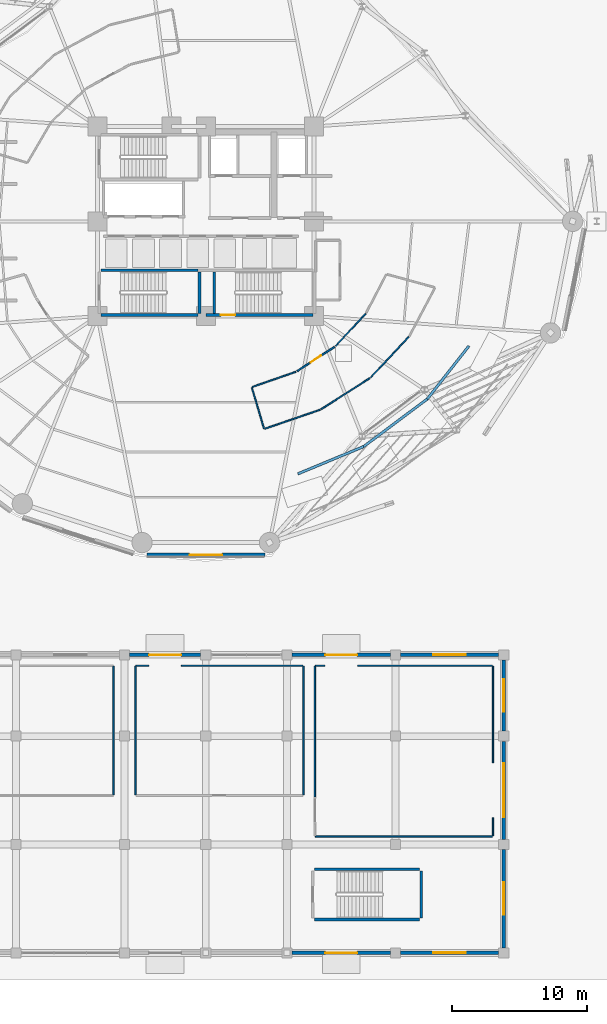
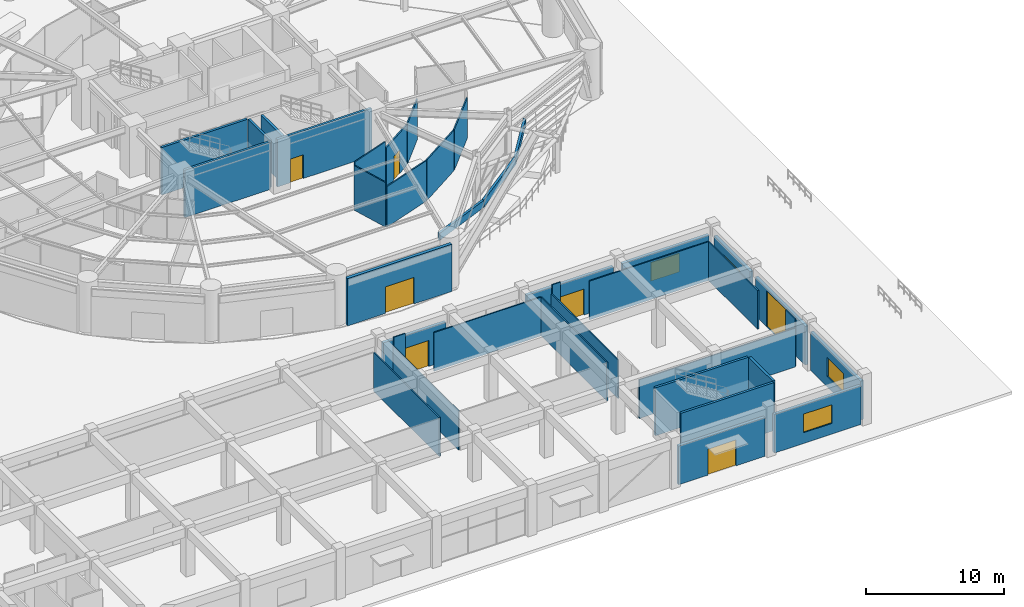
# One storey, part 29 of 40: 38 walls, 7 doors, 4 windows, 11 openings.
"""IFC4 building model written with IfcOpenShell, lengths in metres."""

from ifc_helpers import new_model, si_unit, direction, frame, frame_2d, origin, place, context, subcontext, project, spatial, rectangle, extrude, material, layer, layer_set, type_object, element, fill, save


model = new_model("IFC4")

# Units and contexts
model_context = context("Model", 3, precision=1e-05, world=origin(), true_north=direction((0.0, 1.0)))
body_context = subcontext(model_context, "Body", "Model", "MODEL_VIEW")
ifc_project = project(units=[si_unit("LENGTHUNIT", "METRE"), si_unit("AREAUNIT", "SQUARE_METRE"), si_unit("VOLUMEUNIT", "CUBIC_METRE"), si_unit("PLANEANGLEUNIT", "RADIAN"), si_unit("MASSUNIT", "GRAM", prefix="KILO")], contexts=[model_context])

# Site, building, storey
site_placement = place(None, origin())
site = spatial("IfcSite", under=ifc_project, at=site_placement, CompositionType="ELEMENT")
building_placement = place(site_placement, origin())
building = spatial("IfcBuilding", under=site, at=building_placement, Name="Kelanora Arch Commons", CompositionType="ELEMENT")
storey_placement = place(building_placement, origin())
storey = spatial("IfcBuildingStorey", under=building, at=storey_placement, Name="L00", CompositionType="ELEMENT", Elevation=0.0)

# Wall, opening, door
ifc_material_1 = material(Name="Precast concrete C40/50 with terracotta ceramic cladding", Category="masonry")
ifc_layer_1 = layer(ifc_material_1, 0.25)
ifc_layer_set_1 = layer_set([ifc_layer_1], Name="Precast concrete C40/50 with terracotta ceramic cladding")
wall_type_1 = type_object("IfcWallType", Name="W-EXT-MKT", PredefinedType="SOLIDWALL", material=ifc_layer_set_1)
wall_1_placement = place(storey_placement, frame((80.3798828125, 4.0, 0.0), z_axis=(0.0, 0.0, 1.0), x_axis=(1.0, 0.0, 0.0)))
wall_1 = element("IfcWall", 1, at=wall_1_placement, inside=storey, type_object=wall_type_1, Name="Market Hall Exterior Wall L00-10", PredefinedType="SOLIDWALL", context=body_context, shape_type="SweptSolid", body=[
    extrude(rectangle(XDim=7.240234375, YDim=0.25, at=frame_2d((3.6201171875, 0.0))), origin(), (0.0, 0.0, 1.0), 3.419921875),
])
opening_1_placement = place(wall_1_placement, frame((2.445068359375, 0.0, 0.0)))
opening_1 = element("IfcOpeningElement", 2, at=opening_1_placement, cuts=wall_1, Name="Opening DX-02", PredefinedType="OPENING", context=body_context, shape_type="SweptSolid", body=[
    extrude(rectangle(XDim=2.35009765625, YDim=2.300048828125, at=frame_2d((1.175048828125, 1.14990234375))), frame((0.0, 0.135009765625, 0.0), z_axis=(0.0, -1.0, 0.0), x_axis=(1.0, 0.0, 0.0)), (0.0, 0.0, 1.0), 0.27001953125),
])
ifc_material_2 = material(Name="Powder-coated aluminium glazed double escape door", Category="aluminium")
door_type_1 = type_object("IfcDoorType", Name="D-EXIT-20", OperationType="NOTDEFINED", PredefinedType="DOOR", material=ifc_material_2)
door_1_placement = place(opening_1_placement, frame((2.35009765625, 0.0, 0.0), z_axis=(0.0, 0.0, 1.0), x_axis=(-1.0, 0.0, 0.0)))
door_1 = element("IfcDoor", 3, at=door_1_placement, inside=storey, type_object=door_type_1, Name="Market Hall Pedestrian Exit Door 10", OperationType="DOUBLE_DOOR_SINGLE_SWING", OverallHeight=2.300048828125, OverallWidth=2.35009765625, PredefinedType="DOOR", context=body_context, shape_type="SweptSolid", body=[
    extrude(rectangle(XDim=2.35009765625, YDim=2.300048828125, at=frame_2d((1.175048828125, 1.14990234375))), frame((0.0, 0.02490234375, 0.0), z_axis=(0.0, -1.0, 0.0), x_axis=(1.0, 0.0, 0.0)), (0.0, 0.0, 1.0), 0.050048828125),
])
fill(opening_1, door_1)

# Wall, opening, window
wall_2_placement = place(storey_placement, frame((88.3798828125, 4.0, 0.0), z_axis=(0.0, 0.0, 1.0), x_axis=(1.0, 0.0, 0.0)))
wall_2 = element("IfcWall", 4, at=wall_2_placement, inside=storey, type_object=wall_type_1, Name="Market Hall Exterior Wall L00-11", PredefinedType="SOLIDWALL", context=body_context, shape_type="SweptSolid", body=[
    extrude(rectangle(XDim=7.240234375, YDim=0.25, at=frame_2d((3.6201171875, 0.0))), origin(), (0.0, 0.0, 1.0), 3.419921875),
])
opening_2_placement = place(wall_2_placement, frame((2.419921875, 0.0, 0.949951171875)))
opening_2 = element("IfcOpeningElement", 5, at=opening_2_placement, cuts=wall_2, Name="Opening WN-03", PredefinedType="OPENING", context=body_context, shape_type="SweptSolid", body=[
    extrude(rectangle(XDim=2.39990234375, YDim=1.64990234375, at=frame_2d((1.199951171875, 0.824951171875))), frame((0.0, 0.135009765625, 0.0), z_axis=(0.0, -1.0, 0.0), x_axis=(1.0, 0.0, 0.0)), (0.0, 0.0, 1.0), 0.27001953125),
])
ifc_material_3 = material(Name="Bronze-terracotta aluminium monsoon clerestory window", Category="masonry")
window_type = type_object("IfcWindowType", Name="WIN-MKT-24", PartitioningType="TRIPLE_PANEL_VERTICAL", PredefinedType="WINDOW", material=ifc_material_3)
window_1_placement = place(opening_2_placement, origin())
window_1 = element("IfcWindow", 6, at=window_1_placement, inside=storey, type_object=window_type, Name="Market Hall Clerestory Window L00-11", OverallHeight=1.64990234375, OverallWidth=2.39990234375, PartitioningType="SINGLE_PANEL", PredefinedType="WINDOW", context=body_context, shape_type="SweptSolid", body=[
    extrude(rectangle(XDim=2.39990234375, YDim=1.64990234375, at=frame_2d((1.199951171875, 0.824951171875))), frame((0.0, 0.030029296875, 0.0), z_axis=(0.0, -1.0, 0.0), x_axis=(1.0, 0.0, 0.0)), (0.0, 0.0, 1.0), 0.06005859375),
])
fill(opening_2, window_1)

wall_3_placement = place(storey_placement, frame((96.0, 4.3798828125, 0.0), z_axis=(0.0, 0.0, 1.0), x_axis=(0.0, 1.0, 0.0)))
wall_3 = element("IfcWall", 7, at=wall_3_placement, inside=storey, type_object=wall_type_1, Name="Market Hall Exterior Wall L00-12", PredefinedType="SOLIDWALL", context=body_context, shape_type="SweptSolid", body=[
    extrude(rectangle(XDim=7.240234375, YDim=0.25, at=frame_2d((3.6201171875, 0.0))), origin(), (0.0, 0.0, 1.0), 3.419921875),
])
opening_3_placement = place(wall_3_placement, frame((2.419921875, 0.0, 0.949951171875)))
opening_3 = element("IfcOpeningElement", 8, at=opening_3_placement, cuts=wall_3, Name="Opening WN-03", PredefinedType="OPENING", context=body_context, shape_type="SweptSolid", body=[
    extrude(rectangle(XDim=2.39990234375, YDim=1.64990234375, at=frame_2d((1.199951171875, 0.824951171875))), frame((0.0, 0.135009765625, 0.0), z_axis=(0.0, -1.0, 0.0), x_axis=(1.0, 0.0, 0.0)), (0.0, 0.0, 1.0), 0.27001953125),
])
window_2_placement = place(opening_3_placement, origin())
window_2 = element("IfcWindow", 9, at=window_2_placement, inside=storey, type_object=window_type, Name="Market Hall Clerestory Window L00-12", OverallHeight=1.64990234375, OverallWidth=2.39990234375, PartitioningType="SINGLE_PANEL", PredefinedType="WINDOW", context=body_context, shape_type="SweptSolid", body=[
    extrude(rectangle(XDim=2.39990234375, YDim=1.64990234375, at=frame_2d((1.199951171875, 0.824951171875))), frame((0.0, 0.030029296875, 0.0), z_axis=(0.0, -1.0, 0.0), x_axis=(1.0, 0.0, 0.0)), (0.0, 0.0, 1.0), 0.06005859375),
])
fill(opening_3, window_2)

# Wall, opening, door
wall_4_placement = place(storey_placement, frame((96.0, 12.3798828125, 0.0), z_axis=(0.0, 0.0, 1.0), x_axis=(0.0, 1.0, 0.0)))
wall_4 = element("IfcWall", 10, at=wall_4_placement, inside=storey, type_object=wall_type_1, Name="Market Hall Exterior Wall L00-13", PredefinedType="SOLIDWALL", context=body_context, shape_type="SweptSolid", body=[
    extrude(rectangle(XDim=7.240234375, YDim=0.25, at=frame_2d((3.6201171875, 0.0))), origin(), (0.0, 0.0, 1.0), 3.419921875),
])
opening_4_placement = place(wall_4_placement, frame((1.6201171875, 0.0, 0.0)))
opening_4 = element("IfcOpeningElement", 11, at=opening_4_placement, cuts=wall_4, Name="Opening DS-01", PredefinedType="OPENING", context=body_context, shape_type="SweptSolid", body=[
    extrude(rectangle(XDim=4.0, YDim=3.199951171875, at=frame_2d((2.0, 1.60009765625))), frame((0.0, 0.135009765625, 0.0), z_axis=(0.0, -1.0, 0.0), x_axis=(1.0, 0.0, 0.0)), (0.0, 0.0, 1.0), 0.27001953125),
])
ifc_material_4 = material(Name="Galvanised steel motorized HGV loading bay roller shutter", Category="steel")
door_type_2 = type_object("IfcDoorType", Name="D-SHUTTER-40", OperationType="NOTDEFINED", PredefinedType="GATE", material=ifc_material_4)
door_2_placement = place(opening_4_placement, frame((4.0, 0.0, 0.0), z_axis=(0.0, 0.0, 1.0), x_axis=(-1.0, 0.0, 0.0)))
door_2 = element("IfcDoor", 12, at=door_2_placement, inside=storey, type_object=door_type_2, Name="Market Hall HGV Loading Bay Roller Shutter", OperationType="ROLLINGUP", OverallHeight=3.199951171875, OverallWidth=4.0, PredefinedType="GATE", context=body_context, shape_type="SweptSolid", body=[
    extrude(rectangle(XDim=4.0, YDim=3.199951171875, at=frame_2d((2.0, 1.60009765625))), frame((0.0, 0.02490234375, 0.0), z_axis=(0.0, -1.0, 0.0), x_axis=(1.0, 0.0, 0.0)), (0.0, 0.0, 1.0), 0.050048828125),
])
fill(opening_4, door_2)

# Wall, opening, window
wall_5_placement = place(storey_placement, frame((96.0, 20.3798828125, 0.0), z_axis=(0.0, 0.0, 1.0), x_axis=(0.0, 1.0, 0.0)))
wall_5 = element("IfcWall", 13, at=wall_5_placement, inside=storey, type_object=wall_type_1, Name="Market Hall Exterior Wall L00-14", PredefinedType="SOLIDWALL", context=body_context, shape_type="SweptSolid", body=[
    extrude(rectangle(XDim=5.240234375, YDim=0.25, at=frame_2d((2.6201171875, 0.0))), origin(), (0.0, 0.0, 1.0), 3.419921875),
])
opening_5_placement = place(wall_5_placement, frame((1.419921875, 0.0, 0.949951171875)))
opening_5 = element("IfcOpeningElement", 14, at=opening_5_placement, cuts=wall_5, Name="Opening WN-03", PredefinedType="OPENING", context=body_context, shape_type="SweptSolid", body=[
    extrude(rectangle(XDim=2.39990234375, YDim=1.64990234375, at=frame_2d((1.199951171875, 0.824951171875))), frame((0.0, 0.135009765625, 0.0), z_axis=(0.0, -1.0, 0.0), x_axis=(1.0, 0.0, 0.0)), (0.0, 0.0, 1.0), 0.27001953125),
])
window_3_placement = place(opening_5_placement, origin())
window_3 = element("IfcWindow", 15, at=window_3_placement, inside=storey, type_object=window_type, Name="Market Hall Clerestory Window L00-14", OverallHeight=1.64990234375, OverallWidth=2.39990234375, PartitioningType="SINGLE_PANEL", PredefinedType="WINDOW", context=body_context, shape_type="SweptSolid", body=[
    extrude(rectangle(XDim=2.39990234375, YDim=1.64990234375, at=frame_2d((1.199951171875, 0.824951171875))), frame((0.0, 0.030029296875, 0.0), z_axis=(0.0, -1.0, 0.0), x_axis=(1.0, 0.0, 0.0)), (0.0, 0.0, 1.0), 0.06005859375),
])
fill(opening_5, window_3)

wall_6_placement = place(storey_placement, frame((95.6201171875, 26.0, 0.0), z_axis=(0.0, 0.0, 1.0), x_axis=(-1.0, 0.0, 0.0)))
wall_6 = element("IfcWall", 16, at=wall_6_placement, inside=storey, type_object=wall_type_1, Name="Market Hall Exterior Wall L00-15", PredefinedType="SOLIDWALL", context=body_context, shape_type="SweptSolid", body=[
    extrude(rectangle(XDim=7.240234375, YDim=0.25, at=frame_2d((3.6201171875, 0.0))), origin(), (0.0, 0.0, 1.0), 3.419921875),
])
opening_6_placement = place(wall_6_placement, frame((2.419921875, 0.0, 0.949951171875)))
opening_6 = element("IfcOpeningElement", 17, at=opening_6_placement, cuts=wall_6, Name="Opening WN-03", PredefinedType="OPENING", context=body_context, shape_type="SweptSolid", body=[
    extrude(rectangle(XDim=2.39990234375, YDim=1.64990234375, at=frame_2d((1.199951171875, 0.824951171875))), frame((0.0, 0.135009765625, 0.0), z_axis=(0.0, -1.0, 0.0), x_axis=(1.0, 0.0, 0.0)), (0.0, 0.0, 1.0), 0.27001953125),
])
window_4_placement = place(opening_6_placement, origin())
window_4 = element("IfcWindow", 18, at=window_4_placement, inside=storey, type_object=window_type, Name="Market Hall Clerestory Window L00-15", OverallHeight=1.64990234375, OverallWidth=2.39990234375, PartitioningType="SINGLE_PANEL", PredefinedType="WINDOW", context=body_context, shape_type="SweptSolid", body=[
    extrude(rectangle(XDim=2.39990234375, YDim=1.64990234375, at=frame_2d((1.199951171875, 0.824951171875))), frame((0.0, 0.030029296875, 0.0), z_axis=(0.0, -1.0, 0.0), x_axis=(1.0, 0.0, 0.0)), (0.0, 0.0, 1.0), 0.06005859375),
])
fill(opening_6, window_4)

# Wall, opening, door
wall_7_placement = place(storey_placement, frame((87.6201171875, 26.0, 0.0), z_axis=(0.0, 0.0, 1.0), x_axis=(-1.0, 0.0, 0.0)))
wall_7 = element("IfcWall", 19, at=wall_7_placement, inside=storey, type_object=wall_type_1, Name="Market Hall Exterior Wall L00-16", PredefinedType="SOLIDWALL", context=body_context, shape_type="SweptSolid", body=[
    extrude(rectangle(XDim=7.240234375, YDim=0.25, at=frame_2d((3.6201171875, 0.0))), origin(), (0.0, 0.0, 1.0), 3.419921875),
])
opening_7_placement = place(wall_7_placement, frame((2.445068359375, 0.0, 0.0)))
opening_7 = element("IfcOpeningElement", 20, at=opening_7_placement, cuts=wall_7, Name="Opening DX-02", PredefinedType="OPENING", context=body_context, shape_type="SweptSolid", body=[
    extrude(rectangle(XDim=2.35009765625, YDim=2.300048828125, at=frame_2d((1.175048828125, 1.14990234375))), frame((0.0, 0.135009765625, 0.0), z_axis=(0.0, -1.0, 0.0), x_axis=(1.0, 0.0, 0.0)), (0.0, 0.0, 1.0), 0.27001953125),
])
door_3_placement = place(opening_7_placement, frame((2.35009765625, 0.0, 0.0), z_axis=(0.0, 0.0, 1.0), x_axis=(-1.0, 0.0, 0.0)))
door_3 = element("IfcDoor", 21, at=door_3_placement, inside=storey, type_object=door_type_1, Name="Market Hall Pedestrian Exit Door 16", OperationType="DOUBLE_DOOR_SINGLE_SWING", OverallHeight=2.300048828125, OverallWidth=2.35009765625, PredefinedType="DOOR", context=body_context, shape_type="SweptSolid", body=[
    extrude(rectangle(XDim=2.35009765625, YDim=2.300048828125, at=frame_2d((1.175048828125, 1.14990234375))), frame((0.0, 0.02490234375, 0.0), z_axis=(0.0, -1.0, 0.0), x_axis=(1.0, 0.0, 0.0)), (0.0, 0.0, 1.0), 0.050048828125),
])
fill(opening_7, door_3)

wall_8_placement = place(storey_placement, frame((73.6201171875, 26.0, 0.0), z_axis=(0.0, 0.0, 1.0), x_axis=(-1.0, 0.0, 0.0)))
wall_8 = element("IfcWall", 22, at=wall_8_placement, inside=storey, type_object=wall_type_1, Name="Market Hall Exterior Wall L00-18", PredefinedType="SOLIDWALL", context=body_context, shape_type="SweptSolid", body=[
    extrude(rectangle(XDim=5.240234375, YDim=0.25, at=frame_2d((2.6201171875, 0.0))), origin(), (0.0, 0.0, 1.0), 3.419921875),
])
opening_8_placement = place(wall_8_placement, frame((1.445068359375, 0.0, 0.0)))
opening_8 = element("IfcOpeningElement", 23, at=opening_8_placement, cuts=wall_8, Name="Opening DX-02", PredefinedType="OPENING", context=body_context, shape_type="SweptSolid", body=[
    extrude(rectangle(XDim=2.35009765625, YDim=2.300048828125, at=frame_2d((1.175048828125, 1.14990234375))), frame((0.0, 0.135009765625, 0.0), z_axis=(0.0, -1.0, 0.0), x_axis=(1.0, 0.0, 0.0)), (0.0, 0.0, 1.0), 0.27001953125),
])
door_4_placement = place(opening_8_placement, frame((2.35009765625, 0.0, 0.0), z_axis=(0.0, 0.0, 1.0), x_axis=(-1.0, 0.0, 0.0)))
door_4 = element("IfcDoor", 24, at=door_4_placement, inside=storey, type_object=door_type_1, Name="Market Hall Pedestrian Exit Door 18", OperationType="DOUBLE_DOOR_SINGLE_SWING", OverallHeight=2.300048828125, OverallWidth=2.35009765625, PredefinedType="DOOR", context=body_context, shape_type="SweptSolid", body=[
    extrude(rectangle(XDim=2.35009765625, YDim=2.300048828125, at=frame_2d((1.175048828125, 1.14990234375))), frame((0.0, 0.02490234375, 0.0), z_axis=(0.0, -1.0, 0.0), x_axis=(1.0, 0.0, 0.0)), (0.0, 0.0, 1.0), 0.050048828125),
])
fill(opening_8, door_4)

ifc_material_5 = material(Name="Precast concrete C40/50 with terracotta rainscreen", Category="masonry")
ifc_layer_2 = layer(ifc_material_5, 0.260009765625)
ifc_layer_set_2 = layer_set([ifc_layer_2], Name="Precast concrete C40/50 with terracotta rainscreen")
wall_type_2 = type_object("IfcWallType", Name="W-EXT-TC", PredefinedType="SOLIDWALL", material=ifc_layer_set_2)
wall_9_placement = place(storey_placement, frame((69.64404296875, 33.3798828125, 0.0), z_axis=(0.0, 0.0, 1.0), x_axis=(1.0, 0.0, 0.0)))
wall_9 = element("IfcWall", 25, at=wall_9_placement, inside=storey, type_object=wall_type_2, Name="Terracotta Exterior Wall L00-B13", PredefinedType="SOLIDWALL", context=body_context, shape_type="SweptSolid", body=[
    extrude(rectangle(XDim=8.7119140625, YDim=0.260009765625, at=frame_2d((4.35595703125, 0.0))), origin(), (0.0, 0.0, 1.0), 4.18505859375),
])
opening_9_placement = place(wall_9_placement, frame((3.156005859375, 0.0, 0.0)))
opening_9 = element("IfcOpeningElement", 26, at=opening_9_placement, cuts=wall_9, Name="Opening DX-01", PredefinedType="OPENING", context=body_context, shape_type="SweptSolid", body=[
    extrude(rectangle(XDim=2.39990234375, YDim=2.35009765625, at=frame_2d((1.199951171875, 1.175048828125))), frame((0.0, 0.14013671875, 0.0), z_axis=(0.0, -1.0, 0.0), x_axis=(1.0, 0.0, 0.0)), (0.0, 0.0, 1.0), 0.280029296875),
])
door_type_3 = type_object("IfcDoorType", Name="D-EXIT-22", OperationType="NOTDEFINED", PredefinedType="DOOR", material=ifc_material_2)
door_5_placement = place(opening_9_placement, frame((2.39990234375, 0.0, 0.0), z_axis=(0.0, 0.0, 1.0), x_axis=(-1.0, 0.0, 0.0)))
door_5 = element("IfcDoor", 27, at=door_5_placement, inside=storey, type_object=door_type_3, Name="Tower Ground Pedestrian Exit Door T13", OperationType="DOUBLE_DOOR_SINGLE_SWING", OverallHeight=2.35009765625, OverallWidth=2.39990234375, PredefinedType="DOOR", context=body_context, shape_type="SweptSolid", body=[
    extrude(rectangle(XDim=2.39990234375, YDim=2.35009765625, at=frame_2d((1.199951171875, 1.175048828125))), frame((0.0, 0.02490234375, 0.0), z_axis=(0.0, -1.0, 0.0), x_axis=(1.0, 0.0, 0.0)), (0.0, 0.0, 1.0), 0.050048828125),
])
fill(opening_9, door_5)

# Walls
ifc_material_6 = material(Name="Precast concrete C40/50 parapet", Category="concrete")
ifc_layer_3 = layer(ifc_material_6, 0.18994140625)
ifc_layer_set_3 = layer_set([ifc_layer_3], Name="Precast concrete C40/50 parapet")
wall_type_3 = type_object("IfcWallType", Name="W-PARAPET", PredefinedType="PARAPET", material=ifc_layer_set_3)
wall_10_placement = place(storey_placement, frame((80.79833984375, 39.359375, 0.0), z_axis=(0.0, 0.0, 1.0), x_axis=(0.923474464617, 0.383659892614, 0.0)))
element("IfcWall", 28, at=wall_10_placement, inside=storey, type_object=wall_type_3, Name="Courtyard Raised Planter Kerb SE-1", PredefinedType="PARAPET", context=body_context, shape_type="SweptSolid", body=[
    extrude(rectangle(XDim=5.2626953125, YDim=0.18994140625, at=frame_2d((2.63134765625, 0.0))), origin(), (0.0, 0.0, 1.0), 0.6201171875),
])
wall_11_placement = place(storey_placement, frame((85.658203125, 41.37841796875, 0.0), z_axis=(0.0, 0.0, 1.0), x_axis=(0.800949430728, 0.59873200133, 0.0)))
element("IfcWall", 29, at=wall_11_placement, inside=storey, type_object=wall_type_3, Name="Courtyard Raised Planter Kerb SE-2", PredefinedType="PARAPET", context=body_context, shape_type="SweptSolid", body=[
    extrude(rectangle(XDim=5.856689453125, YDim=0.18994140625, at=frame_2d((2.92822265625, 0.0))), origin(), (0.0, 0.0, 1.0), 0.6201171875),
])
wall_12_placement = place(storey_placement, frame((90.34912109375, 44.885009765625, 0.0), z_axis=(0.0, 0.0, 1.0), x_axis=(0.617936357215, 0.786228121115, 0.0)))
element("IfcWall", 30, at=wall_12_placement, inside=storey, type_object=wall_type_3, Name="Courtyard Raised Planter Kerb SE-3", PredefinedType="PARAPET", context=body_context, shape_type="SweptSolid", body=[
    extrude(rectangle(XDim=4.977294921875, YDim=0.18994140625, at=frame_2d((2.48876953125, 0.0))), origin(), (0.0, 0.0, 1.0), 0.6201171875),
])
ifc_material_7 = material(Name="Lightweight fire-rated acoustic stud partition")
ifc_layer_4 = layer(ifc_material_7, 0.10009765625)
ifc_layer_set_4 = layer_set([ifc_layer_4], Name="Lightweight fire-rated acoustic stud partition")
wall_type_4 = type_object("IfcWallType", Name="W-PART-100", PredefinedType="PARTITIONING", material=ifc_layer_set_4)
for number, where, z_axis, x_axis, name in (
    (31, (67.199951171875, 15.659912109375, 0.0), (0.0, 0.0, 1.0), (0.0, 1.0, 0.0), "Main Civic Produce and Spice Market Hall Enclosure Partition 2"),
    (32, (81.199951171875, 15.659912109375, 0.0), (0.0, 0.0, 1.0), (0.0, 1.0, 0.0), "Fresh Seafood and Dry Goods Market Stalls Enclosure Partition 2"),
):
    element("IfcWall", number, at=place(storey_placement, frame(where, z_axis=z_axis, x_axis=x_axis)), inside=storey, type_object=wall_type_4, Name=name, PredefinedType="PARTITIONING", context=body_context, shape_type="SweptSolid", body=[
        extrude(rectangle(XDim=9.5, YDim=0.10009765625, at=frame_2d((4.75, 0.0))), origin(), (0.0, 0.0, 1.0), 3.425048828125),
    ])
wall_13_placement = place(storey_placement, frame((81.159912109375, 25.199951171875, 0.0), z_axis=(0.0, 0.0, 1.0), x_axis=(-1.0, 0.0, 0.0)))
element("IfcWall", 33, at=wall_13_placement, inside=storey, type_object=wall_type_4, Name="Fresh Seafood and Dry Goods Market Stalls Enclosure Partition 3", PredefinedType="PARTITIONING", context=body_context, shape_type="SweptSolid", body=[
    extrude(rectangle(XDim=8.954833984375, YDim=0.10009765625, at=frame_2d((4.4775390625, 0.0))), origin(), (0.0, 0.0, 1.0), 3.425048828125),
])
wall_14_placement = place(storey_placement, frame((69.794921875, 25.199951171875, 0.0), z_axis=(0.0, 0.0, 1.0), x_axis=(-1.0, 0.0, 0.0)))
element("IfcWall", 34, at=wall_14_placement, inside=storey, type_object=wall_type_4, Name="Fresh Seafood and Dry Goods Market Stalls Enclosure Partition 3", PredefinedType="PARTITIONING", context=body_context, shape_type="SweptSolid", body=[
    extrude(rectangle(XDim=0.954833984375, YDim=0.10009765625, at=frame_2d((0.4775390625, 0.0))), origin(), (0.0, 0.0, 1.0), 4.18994140625),
])
wall_15_placement = place(storey_placement, frame((68.800048828125, 25.159912109375, 0.0), z_axis=(0.0, 0.0, 1.0), x_axis=(0.0, -1.0, 0.0)))
element("IfcWall", 35, at=wall_15_placement, inside=storey, type_object=wall_type_4, Name="Fresh Seafood and Dry Goods Market Stalls Enclosure Partition 4", PredefinedType="PARTITIONING", context=body_context, shape_type="SweptSolid", body=[
    extrude(rectangle(XDim=9.5, YDim=0.10009765625, at=frame_2d((4.75, 0.0))), origin(), (0.0, 0.0, 1.0), 3.425048828125),
])
wall_16_placement = place(storey_placement, frame((82.090087890625, 12.60009765625, 0.0), z_axis=(0.0, 0.0, 1.0), x_axis=(1.0, 0.0, 0.0)))
element("IfcWall", 36, at=wall_16_placement, inside=storey, type_object=wall_type_4, Name="Market Enclosed HGV Loading and Servicing Bay Enclosure Partition 1", PredefinedType="PARTITIONING", context=body_context, shape_type="SweptSolid", body=[
    extrude(rectangle(XDim=13.06982421875, YDim=0.10009765625, at=frame_2d((6.534912109375, 0.0))), origin(), (0.0, 0.0, 1.0), 3.425048828125),
])
wall_17_placement = place(storey_placement, frame((95.199951171875, 12.639892578125, 0.0), z_axis=(0.0, 0.0, 1.0), x_axis=(0.0, 1.0, 0.0)))
element("IfcWall", 37, at=wall_17_placement, inside=storey, type_object=wall_type_4, Name="Market Enclosed HGV Loading and Servicing Bay Enclosure Partition 2", PredefinedType="PARTITIONING", context=body_context, shape_type="SweptSolid", body=[
    extrude(rectangle(XDim=1.330078125, YDim=0.10009765625, at=frame_2d((0.6650390625, 0.0))), origin(), (0.0, 0.0, 1.0), 4.18994140625),
])
wall_18_placement = place(storey_placement, frame((95.199951171875, 18.030029296875, 0.0), z_axis=(0.0, 0.0, 1.0), x_axis=(0.0, 1.0, 0.0)))
element("IfcWall", 38, at=wall_18_placement, inside=storey, type_object=wall_type_4, Name="Market Enclosed HGV Loading and Servicing Bay Enclosure Partition 2", PredefinedType="PARTITIONING", context=body_context, shape_type="SweptSolid", body=[
    extrude(rectangle(XDim=7.1298828125, YDim=0.10009765625, at=frame_2d((3.56494140625, 0.0))), origin(), (0.0, 0.0, 1.0), 3.425048828125),
])
wall_19_placement = place(storey_placement, frame((95.159912109375, 25.199951171875, 0.0), z_axis=(0.0, 0.0, 1.0), x_axis=(-1.0, 0.0, 0.0)))
element("IfcWall", 39, at=wall_19_placement, inside=storey, type_object=wall_type_4, Name="Market Enclosed HGV Loading and Servicing Bay Enclosure Partition 3", PredefinedType="PARTITIONING", context=body_context, shape_type="SweptSolid", body=[
    extrude(rectangle(XDim=9.954833984375, YDim=0.10009765625, at=frame_2d((4.9775390625, 0.0))), origin(), (0.0, 0.0, 1.0), 3.425048828125),
])
wall_20_placement = place(storey_placement, frame((82.794921875, 25.199951171875, 0.0), z_axis=(0.0, 0.0, 1.0), x_axis=(-1.0, 0.0, 0.0)))
element("IfcWall", 40, at=wall_20_placement, inside=storey, type_object=wall_type_4, Name="Market Enclosed HGV Loading and Servicing Bay Enclosure Partition 3", PredefinedType="PARTITIONING", context=body_context, shape_type="SweptSolid", body=[
    extrude(rectangle(XDim=0.704833984375, YDim=0.10009765625, at=frame_2d((0.3525390625, 0.0))), origin(), (0.0, 0.0, 1.0), 4.18994140625),
])
wall_21_placement = place(storey_placement, frame((82.050048828125, 25.159912109375, 0.0), z_axis=(0.0, 0.0, 1.0), x_axis=(0.0, -1.0, 0.0)))
element("IfcWall", 41, at=wall_21_placement, inside=storey, type_object=wall_type_4, Name="Market Enclosed HGV Loading and Servicing Bay Enclosure Partition 4", PredefinedType="PARTITIONING", context=body_context, shape_type="SweptSolid", body=[
    extrude(rectangle(XDim=9.669921875, YDim=0.10009765625, at=frame_2d((4.8349609375, 0.0))), origin(), (0.0, 0.0, 1.0), 3.425048828125),
])
wall_22_placement = place(storey_placement, frame((77.4296875, 45.768310546875, 0.0), z_axis=(0.0, 0.0, 1.0), x_axis=(0.943895142086, 0.330245303898, 0.0)))
element("IfcWall", 42, at=wall_22_placement, inside=storey, type_object=wall_type_4, Name="Courtyard Communal Dining Pavilion South-East Enclosure Partition 1", PredefinedType="PARTITIONING", context=body_context, shape_type="SweptSolid", body=[
    extrude(rectangle(XDim=3.4140625, YDim=0.10009765625, at=frame_2d((1.70703125, 0.0))), origin(), (0.0, 0.0, 1.0), 4.18994140625),
])
wall_23_placement = place(storey_placement, frame((83.589111328125, 48.79931640625, 0.0), z_axis=(0.0, 0.0, 1.0), x_axis=(0.678488862619, 0.734610688257, 0.0)))
element("IfcWall", 43, at=wall_23_placement, inside=storey, type_object=wall_type_4, Name="Courtyard Communal Dining Pavilion South-East Enclosure Partition 3", PredefinedType="PARTITIONING", context=body_context, shape_type="SweptSolid", body=[
    extrude(rectangle(XDim=3.25390625, YDim=0.10009765625, at=frame_2d((1.626953125, 0.0))), origin(), (0.0, 0.0, 1.0), 3.5849609375),
])
wall_24_placement = place(storey_placement, frame((88.984619140625, 49.481689453125, 0.0), z_axis=(0.0, 0.0, 1.0), x_axis=(-0.683655334271, -0.729805031446, 0.0)))
element("IfcWall", 44, at=wall_24_placement, inside=storey, type_object=wall_type_4, Name="Courtyard Communal Dining Pavilion South-East Enclosure Partition 7", PredefinedType="PARTITIONING", context=body_context, shape_type="SweptSolid", body=[
    extrude(rectangle(XDim=4.12109375, YDim=0.10009765625, at=frame_2d((2.060546875, 0.0))), origin(), (0.0, 0.0, 1.0), 3.5849609375),
])
wall_25_placement = place(storey_placement, frame((86.106201171875, 46.423583984375, 0.0), z_axis=(0.0, 0.0, 1.0), x_axis=(-0.842680324252, -0.538414218905, 0.0)))
element("IfcWall", 45, at=wall_25_placement, inside=storey, type_object=wall_type_4, Name="Courtyard Communal Dining Pavilion South-East Enclosure Partition 8", PredefinedType="PARTITIONING", context=body_context, shape_type="SweptSolid", body=[
    extrude(rectangle(XDim=4.247802734375, YDim=0.10009765625, at=frame_2d((2.1240234375, 0.0))), origin(), (0.0, 0.0, 1.0), 3.5849609375),
])
wall_26_placement = place(storey_placement, frame((82.455078125, 44.101806640625, 0.0), z_axis=(0.0, 0.0, 1.0), x_axis=(-0.945232717828, -0.326397164737, 0.0)))
element("IfcWall", 46, at=wall_26_placement, inside=storey, type_object=wall_type_4, Name="Courtyard Communal Dining Pavilion South-East Enclosure Partition 9", PredefinedType="PARTITIONING", context=body_context, shape_type="SweptSolid", body=[
    extrude(rectangle(XDim=4.349609375, YDim=0.10009765625, at=frame_2d((2.1748046875, 0.0))), origin(), (0.0, 0.0, 1.0), 3.5849609375),
])
wall_27_placement = place(storey_placement, frame((78.294677734375, 42.70751953125, 0.0), z_axis=(0.0, 0.0, 1.0), x_axis=(-0.284027408145, 0.958816161432, 0.0)))
element("IfcWall", 47, at=wall_27_placement, inside=storey, type_object=wall_type_4, Name="Courtyard Communal Dining Pavilion South-East Enclosure Partition 10", PredefinedType="PARTITIONING", context=body_context, shape_type="SweptSolid", body=[
    extrude(rectangle(XDim=3.13818359375, YDim=0.10009765625, at=frame_2d((1.569091796875, 0.0))), origin(), (0.0, 0.0, 1.0), 3.945068359375),
])

# Wall, opening, door
ifc_material_8 = material(Name="Acoustic twin-stud fire-rated gypsum partition")
ifc_layer_5 = layer(ifc_material_8, 0.1201171875)
ifc_layer_set_5 = layer_set([ifc_layer_5], Name="Acoustic twin-stud fire-rated gypsum partition")
wall_type_5 = type_object("IfcWallType", Name="W-PART-120", PredefinedType="PARTITIONING", material=ifc_layer_set_5)
wall_28_placement = place(storey_placement, frame((80.740478515625, 46.941650390625, 0.0), z_axis=(0.0, 0.0, 1.0), x_axis=(0.839224842152, 0.543784575282, 0.0)))
wall_28 = element("IfcWall", 48, at=wall_28_placement, inside=storey, type_object=wall_type_5, Name="Courtyard Communal Dining Pavilion South-East Entry Partition", PredefinedType="PARTITIONING", context=body_context, shape_type="SweptSolid", body=[
    extrude(rectangle(XDim=3.30224609375, YDim=0.1201171875, at=frame_2d((1.651123046875, 0.0))), origin(), (0.0, 0.0, 1.0), 3.5849609375),
])
opening_10_placement = place(wall_28_placement, frame((1.200927734375, 0.0, 0.0)))
opening_10 = element("IfcOpeningElement", 49, at=opening_10_placement, cuts=wall_28, Name="Opening D-RM1", PredefinedType="OPENING", context=body_context, shape_type="SweptSolid", body=[
    extrude(rectangle(XDim=0.89990234375, YDim=2.080078125, at=frame_2d((0.449951171875, 1.0400390625))), frame((0.0, 0.070068359375, 0.0), z_axis=(0.0, -1.0, 0.0), x_axis=(1.0, 0.0, 0.0)), (0.0, 0.0, 1.0), 0.14013671875),
])
ifc_material_9 = material(Name="Acoustic fire-rated timber study and lounge door", Category="wood")
door_type_4 = type_object("IfcDoorType", Name="D-ROOM-90", OperationType="NOTDEFINED", PredefinedType="DOOR", material=ifc_material_9)
door_6_placement = place(opening_10_placement, origin())
door_6 = element("IfcDoor", 50, at=door_6_placement, inside=storey, type_object=door_type_4, Name="Courtyard Communal Dining Pavilion South-East Door", OperationType="SINGLE_SWING_RIGHT", OverallHeight=2.080078125, OverallWidth=0.89990234375, PredefinedType="DOOR", context=body_context, shape_type="SweptSolid", body=[
    extrude(rectangle(XDim=0.89990234375, YDim=2.080078125, at=frame_2d((0.449951171875, 1.0400390625))), frame((0.0, 0.02490234375, 0.0), z_axis=(0.0, -1.0, 0.0), x_axis=(1.0, 0.0, 0.0)), (0.0, 0.0, 1.0), 0.050048828125),
])
fill(opening_10, door_6)

ifc_material_10 = material(Name="Concrete C40/50", Category="concrete")
ifc_layer_6 = layer(ifc_material_10, 0.199951171875)
ifc_layer_set_6 = layer_set([ifc_layer_6], Name="Concrete C40/50")
wall_type_6 = type_object("IfcWallType", Name="W-STAIR-200", PredefinedType="SHEAR", material=ifc_layer_set_6)
wall_29_placement = place(storey_placement, frame((74.0, 51.080078125, 0.0), z_axis=(0.0, 0.0, 1.0), x_axis=(1.0, 0.0, 0.0)))
wall_29 = element("IfcWall", 51, at=wall_29_placement, inside=storey, type_object=wall_type_6, Name="Stair ST-T2 Shaft Wall S L00", PredefinedType="SHEAR", context=body_context, shape_type="SweptSolid", body=[
    extrude(rectangle(XDim=7.89990234375, YDim=0.199951171875, at=frame_2d((3.949951171875, 0.0))), origin(), (0.0, 0.0, 1.0), 4.199951171875),
])
opening_11_placement = place(wall_29_placement, frame((1.1201171875, 0.0, 0.0)))
opening_11 = element("IfcOpeningElement", 52, at=opening_11_placement, cuts=wall_29, Name="Opening D-ST1", PredefinedType="OPENING", context=body_context, shape_type="SweptSolid", body=[
    extrude(rectangle(XDim=1.050048828125, YDim=2.10009765625, at=frame_2d((0.52490234375, 1.050048828125))), frame((0.0, 0.10986328125, 0.0), z_axis=(0.0, -1.0, 0.0), x_axis=(1.0, 0.0, 0.0)), (0.0, 0.0, 1.0), 0.219970703125),
])
ifc_material_11 = material(Name="Steel fire-rated stairwell escape door", Category="steel")
door_type_5 = type_object("IfcDoorType", Name="D-STAIR-110", OperationType="NOTDEFINED", PredefinedType="DOOR", material=ifc_material_11)
door_7_placement = place(opening_11_placement, origin())
door_7 = element("IfcDoor", 53, at=door_7_placement, inside=storey, type_object=door_type_5, Name="Stair ST-T2 Escape Door L00", OperationType="SINGLE_SWING_LEFT", OverallHeight=2.10009765625, OverallWidth=1.050048828125, PredefinedType="DOOR", context=body_context, shape_type="SweptSolid", body=[
    extrude(rectangle(XDim=1.050048828125, YDim=2.10009765625, at=frame_2d((0.52490234375, 1.050048828125))), frame((0.0, 0.02490234375, 0.0), z_axis=(0.0, -1.0, 0.0), x_axis=(1.0, 0.0, 0.0)), (0.0, 0.0, 1.0), 0.050048828125),
])
fill(opening_11, door_7)

# Walls
wall_30_placement = place(storey_placement, frame((74.6201171875, 54.27001953125, 0.0), z_axis=(0.0, 0.0, 1.0), x_axis=(0.0, -1.0, 0.0)))
element("IfcWall", 54, at=wall_30_placement, inside=storey, type_object=wall_type_6, Name="Stair ST-T2 Shaft Wall W L00", PredefinedType="SHEAR", context=body_context, shape_type="SweptSolid", body=[
    extrude(rectangle(XDim=3.070068359375, YDim=0.199951171875, at=frame_2d((1.53515625, 0.0))), origin(), (0.0, 0.0, 1.0), 4.199951171875),
])
wall_31_placement = place(storey_placement, frame((66.260009765625, 51.080078125, 0.0), z_axis=(0.0, 0.0, 1.0), x_axis=(1.0, 0.0, 0.0)))
element("IfcWall", 55, at=wall_31_placement, inside=storey, type_object=wall_type_6, Name="Stair ST-T3 Shaft Wall S L00", PredefinedType="SHEAR", context=body_context, shape_type="SweptSolid", body=[
    extrude(rectangle(XDim=7.159912109375, YDim=0.199951171875, at=frame_2d((3.580078125, 0.0))), origin(), (0.0, 0.0, 1.0), 4.199951171875),
])
wall_32_placement = place(storey_placement, frame((73.5400390625, 51.199951171875, 0.0), z_axis=(0.0, 0.0, 1.0), x_axis=(0.0, 1.0, 0.0)))
element("IfcWall", 56, at=wall_32_placement, inside=storey, type_object=wall_type_6, Name="Stair ST-T3 Shaft Wall E L00", PredefinedType="SHEAR", context=body_context, shape_type="SweptSolid", body=[
    extrude(rectangle(XDim=3.070068359375, YDim=0.199951171875, at=frame_2d((1.53515625, 0.0))), origin(), (0.0, 0.0, 1.0), 4.199951171875),
])
wall_33_placement = place(storey_placement, frame((73.419921875, 54.389892578125, 0.0), z_axis=(0.0, 0.0, 1.0), x_axis=(-1.0, 0.0, 0.0)))
element("IfcWall", 57, at=wall_33_placement, inside=storey, type_object=wall_type_6, Name="Stair ST-T3 Shaft Wall N L00", PredefinedType="SHEAR", context=body_context, shape_type="SweptSolid", body=[
    extrude(rectangle(XDim=7.159912109375, YDim=0.199951171875, at=frame_2d((3.580078125, 0.0))), origin(), (0.0, 0.0, 1.0), 4.199951171875),
])
wall_34_placement = place(storey_placement, frame((82.02001953125, 6.4599609375, 0.0), z_axis=(0.0, 0.0, 1.0), x_axis=(1.0, 0.0, 0.0)))
element("IfcWall", 58, at=wall_34_placement, inside=storey, type_object=wall_type_6, Name="Stair ST-M2 Shaft Wall S L00", PredefinedType="SHEAR", context=body_context, shape_type="SweptSolid", body=[
    extrude(rectangle(XDim=7.760009765625, YDim=0.199951171875, at=frame_2d((3.8798828125, 0.0))), origin(), (0.0, 0.0, 1.0), 4.239990234375),
])
wall_35_placement = place(storey_placement, frame((89.89990234375, 6.580078125, 0.0), z_axis=(0.0, 0.0, 1.0), x_axis=(0.0, 1.0, 0.0)))
element("IfcWall", 59, at=wall_35_placement, inside=storey, type_object=wall_type_6, Name="Stair ST-M2 Shaft Wall E L00", PredefinedType="SHEAR", context=body_context, shape_type="SweptSolid", body=[
    extrude(rectangle(XDim=3.469970703125, YDim=0.199951171875, at=frame_2d((1.73486328125, 0.0))), origin(), (0.0, 0.0, 1.0), 4.239990234375),
])
wall_36_placement = place(storey_placement, frame((89.780029296875, 10.169921875, 0.0), z_axis=(0.0, 0.0, 1.0), x_axis=(-1.0, 0.0, 0.0)))
element("IfcWall", 60, at=wall_36_placement, inside=storey, type_object=wall_type_6, Name="Stair ST-M2 Shaft Wall N L00", PredefinedType="SHEAR", context=body_context, shape_type="SweptSolid", body=[
    extrude(rectangle(XDim=7.760009765625, YDim=0.199951171875, at=frame_2d((3.8798828125, 0.0))), origin(), (0.0, 0.0, 1.0), 4.239990234375),
])

save(model, "model.ifc")
